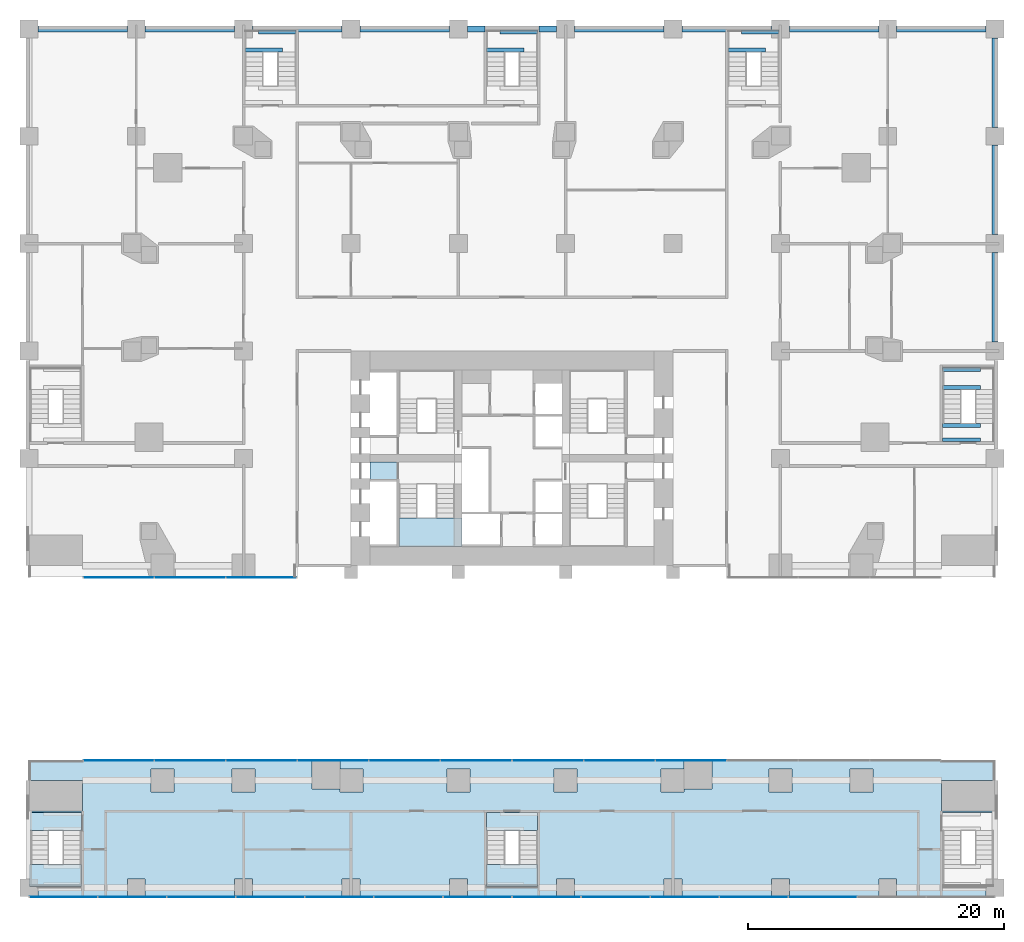
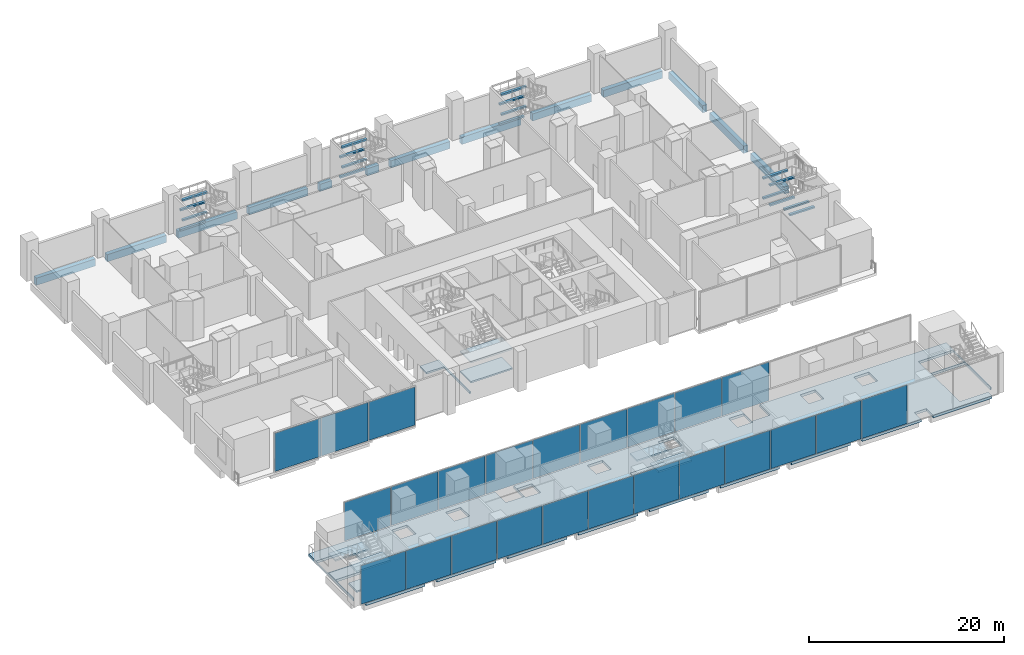
# One storey, part 8 of 24: 31 beams, 24 plates, 12 slabs, 6 elements without a shape of their own.
"""IFC4 building model written with IfcOpenShell, lengths in metres."""

import ifcopenshell
import ifcopenshell.guid

model = None  # the IFC model being written
_history = None  # IfcOwnerHistory: only IFC2X3 demands one
_inside = {}  # id of a spatial element -> (the spatial element, [elements in it])
_under = {}  # id of a project, library or spatial element -> (it, [spatial elements below it])
_declared = {}  # id of a project -> (the project, [libraries it declares])
_typed = {}  # id of a type object -> (the type object, [elements of that type])
_made_of = {}  # id of a material, layer set ... -> (it, [elements and type objects made of it])


def new_model(schema):
    """Start an empty IFC model of exactly this schema.

    Asked for "IFC4X3", IfcOpenShell would pick the latest addendum, in which some entities
    have other attributes; the version numbers below select the first issue.
    IFC2X3 requires an IfcOwnerHistory on every rooted entity: one is made here for all.
    """
    global model, _history
    if schema == "IFC4X3":
        model = ifcopenshell.file(schema_version=(4, 3, 0, 0))
    else:
        model = ifcopenshell.file(schema=schema)
    _inside.clear()
    _under.clear()
    _declared.clear()
    _typed.clear()
    _made_of.clear()
    _history = None
    if model.schema == "IFC2X3":
        org = make("IfcOrganization", Name="unknown")
        user = make(
            "IfcPersonAndOrganization",
            ThePerson=make("IfcPerson", FamilyName="unknown"),
            TheOrganization=org,
        )
        app = make(
            "IfcApplication",
            ApplicationDeveloper=org,
            Version="unknown",
            ApplicationFullName="unknown",
            ApplicationIdentifier="unknown",
        )
        _history = make(
            "IfcOwnerHistory",
            OwningUser=user,
            OwningApplication=app,
            ChangeAction="ADDED",
            CreationDate=0,
        )
    return model


def make(cls, **values):
    """One entity of the class cls with the attributes given. An attribute that is None is left unset."""
    return model.create_entity(
        cls, **{name: value for name, value in values.items() if value is not None}
    )


def rooted(cls, **values):
    """An entity with a GlobalId (a new one), such as an element, a storey or a relation."""
    return make(cls, GlobalId=ifcopenshell.guid.new(), OwnerHistory=_history, **values)


def si_unit(unit_type, name, prefix=None):
    """IfcSIUnit, for example si_unit("LENGTHUNIT", "METRE", prefix="MILLI")."""
    return make("IfcSIUnit", UnitType=unit_type, Prefix=prefix, Name=name)


def assignment(units):
    """IfcUnitAssignment: the units of a project."""
    return None if units is None else make("IfcUnitAssignment", Units=units)


def point(xyz):
    """IfcCartesianPoint."""
    return None if xyz is None else make("IfcCartesianPoint", Coordinates=xyz)


def direction(xyz):
    """IfcDirection."""
    return None if xyz is None else make("IfcDirection", DirectionRatios=xyz)


def frame(location, z_axis=None, x_axis=None):
    """IfcAxis2Placement3D, a coordinate frame: its origin and axes. An axis left out is left unset."""
    return make(
        "IfcAxis2Placement3D",
        Location=point(location),
        Axis=direction(z_axis),
        RefDirection=direction(x_axis),
    )


def frame_2d(location, x_axis=None):
    """IfcAxis2Placement2D, a coordinate frame in the plane: its origin and x axis."""
    return make(
        "IfcAxis2Placement2D", Location=point(location), RefDirection=direction(x_axis)
    )


def origin():
    """The frame at (0, 0, 0) with its axes left unset."""
    return frame((0.0, 0.0, 0.0))


def origin_2d():
    """The frame at (0, 0) in the plane with its x axis left unset."""
    return frame_2d((0.0, 0.0))


def place(relative_to, where):
    """IfcLocalPlacement: puts the frame where relative to a parent placement (None: the world)."""
    return make(
        "IfcLocalPlacement", PlacementRelTo=relative_to, RelativePlacement=where
    )


def context(
    kind, dimensions, precision=None, world=None, true_north=None, identifier=None
):
    """IfcGeometricRepresentationContext, for example the 3D "Model" context."""
    return make(
        "IfcGeometricRepresentationContext",
        ContextIdentifier=identifier,
        ContextType=kind,
        CoordinateSpaceDimension=dimensions,
        Precision=precision,
        WorldCoordinateSystem=world,
        TrueNorth=true_north,
    )


def subcontext(parent, identifier, kind, view, scale=None):
    """IfcGeometricRepresentationSubContext, for example "Body" below "Model"."""
    return make(
        "IfcGeometricRepresentationSubContext",
        ContextIdentifier=identifier,
        ContextType=kind,
        ParentContext=parent,
        TargetScale=scale,
        TargetView=view,
    )


def project(units=None, contexts=None):
    """IfcProject with its units and contexts."""
    return rooted(
        "IfcProject",
        Name="project",
        RepresentationContexts=contexts,
        UnitsInContext=assignment(units),
    )


def spatial(cls, under=None, at=None, **own):
    """A site, building, storey or space (cls), placed at a placement, below another one or the project."""
    s = rooted(cls, ObjectPlacement=at, **own)
    if under is not None:
        _under.setdefault(under.id(), (under, []))[1].append(s)
    return s


def polyline(points):
    """IfcPolyline through the points."""
    return make("IfcPolyline", Points=[point(p) for p in points])


def profile(cls, at=None, kind="AREA", **sizes):
    """A parametric profile (cls). Its sizes go by their IFC names, for example OverallWidth=200.0."""
    return make(cls, ProfileType=kind, Position=at, **sizes)


def rectangle(**sizes):
    """IfcRectangleProfileDef."""
    return profile("IfcRectangleProfileDef", **sizes)


def outline(outer, holes=None, kind="AREA"):
    """IfcArbitraryClosedProfileDef: a profile drawn as a closed curve; with holes, ...WithVoids."""
    if holes is None:
        return make("IfcArbitraryClosedProfileDef", ProfileType=kind, OuterCurve=outer)
    return make(
        "IfcArbitraryProfileDefWithVoids",
        ProfileType=kind,
        OuterCurve=outer,
        InnerCurves=holes,
    )


def extrude(swept, where, along, depth):
    """IfcExtrudedAreaSolid: the profile swept, set in the frame where, extruded along a direction by depth."""
    return make(
        "IfcExtrudedAreaSolid",
        SweptArea=swept,
        Position=where,
        ExtrudedDirection=direction(along),
        Depth=depth,
    )


def shape(context_of_items, identifier, shape_type, items):
    """IfcShapeRepresentation: the items that make up one representation, for example the "Body"."""
    return make(
        "IfcShapeRepresentation",
        ContextOfItems=context_of_items,
        RepresentationIdentifier=identifier,
        RepresentationType=shape_type,
        Items=items,
    )


def material(Name=None, Category=None):
    """IfcMaterial."""
    return make("IfcMaterial", Name=Name, Category=Category)


def layer(
    of_material, thickness, ventilated=None, Name=None, Category=None, Priority=None
):
    """IfcMaterialLayer: one layer of a wall or slab, of a material (None: an air gap)."""
    return make(
        "IfcMaterialLayer",
        Material=of_material,
        LayerThickness=thickness,
        IsVentilated=ventilated,
        Name=Name,
        Category=Category,
        Priority=Priority,
    )


def layer_set(layers, Name=None):
    """IfcMaterialLayerSet."""
    return make("IfcMaterialLayerSet", MaterialLayers=layers, LayerSetName=Name)


def material_profile(
    of_material, cross_section, Name=None, Category=None, Priority=None
):
    """IfcMaterialProfile: a cross section and its material."""
    return make(
        "IfcMaterialProfile",
        Name=Name,
        Material=of_material,
        Profile=cross_section,
        Priority=Priority,
        Category=Category,
    )


def profile_set(profiles, Name=None, composite=None):
    """IfcMaterialProfileSet."""
    return make(
        "IfcMaterialProfileSet",
        Name=Name,
        MaterialProfiles=profiles,
        CompositeProfile=composite,
    )


def made_of(thing, what):
    """Note that an element or type object is made of a material, layer set ...; save() writes the relation."""
    if what is not None:
        _made_of.setdefault(what.id(), (what, []))[1].append(thing)
    return thing


def type_object(cls, material=None, **own):
    """A type object (cls), such as IfcWallType, which elements share."""
    return made_of(rooted(cls, **own), material)


def element(
    cls,
    number,
    at=None,
    inside=None,
    cuts=None,
    type_object=None,
    material=None,
    context=None,
    identifier="Body",
    shape_type=None,
    held_by="IfcProductDefinitionShape",
    body=None,
    shapes=None,
    **own,
):
    """One element of the class cls, such as IfcWall. Its Tag is "e" and its number.

    at: its placement. inside: the storey or other place that contains it. cuts: it is an
    opening in that element (IfcRelVoidsElement). A single representation is given by context,
    identifier, shape_type and body (its items); several are given by shapes. held_by: the class
    of the entity that holds the representations. save() writes the other relations.
    """
    e = rooted(cls, Tag="e%d" % number, ObjectPlacement=at, **own)
    if body is not None:
        shapes = [shape(context, identifier, shape_type, body)]
    if shapes is not None:
        e.Representation = make(held_by, Representations=shapes)
    if inside is not None:
        _inside.setdefault(inside.id(), (inside, []))[1].append(e)
    if cuts is not None:
        rooted(
            "IfcRelVoidsElement", RelatingBuildingElement=cuts, RelatedOpeningElement=e
        )
    if type_object is not None:
        _typed.setdefault(type_object.id(), (type_object, []))[1].append(e)
    return made_of(e, material)


def aggregate(whole, parts):
    """IfcRelAggregates: a whole, such as a stair, and the parts it consists of."""
    return rooted("IfcRelAggregates", RelatingObject=whole, RelatedObjects=parts)


def save(model, path):
    """Write the relations noted so far, then the file.

    IfcRelAggregates (storeys below a building ...), IfcRelContainedInSpatialStructure (elements
    in a storey), IfcRelDefinesByType, IfcRelAssociatesMaterial and IfcRelDeclares: one each for
    every whole, place, type object, material and project.
    """
    for whole, parts in _under.values():
        aggregate(whole, parts)
    for where, things in _inside.values():
        rooted(
            "IfcRelContainedInSpatialStructure",
            RelatedElements=things,
            RelatingStructure=where,
        )
    for kind, things in _typed.values():
        rooted("IfcRelDefinesByType", RelatedObjects=things, RelatingType=kind)
    for what, things in _made_of.values():
        rooted("IfcRelAssociatesMaterial", RelatedObjects=things, RelatingMaterial=what)
    for by, libraries in _declared.values():
        rooted("IfcRelDeclares", RelatingContext=by, RelatedDefinitions=libraries)
    model.write(path)


model = new_model("IFC4")

# Units and contexts
model_context = context("Model", 3, precision=1e-05, world=origin(), true_north=direction((0.0, 1.0)))
body_context = subcontext(model_context, "Body", "Model", "MODEL_VIEW")
ifc_project = project(units=[si_unit("LENGTHUNIT", "METRE"), si_unit("AREAUNIT", "SQUARE_METRE"), si_unit("VOLUMEUNIT", "CUBIC_METRE"), si_unit("PLANEANGLEUNIT", "RADIAN"), si_unit("MASSUNIT", "GRAM", prefix="KILO")], contexts=[model_context])

# Site, building, storey
site_placement = place(None, origin())
site = spatial("IfcSite", under=ifc_project, at=site_placement, CompositionType="ELEMENT")
building_placement = place(site_placement, origin())
building = spatial("IfcBuilding", under=site, at=building_placement, Name="Marenta Gate Hotel Tower", CompositionType="ELEMENT")
storey_placement = place(building_placement, frame((0.0, 0.0, 8.0)))
storey = spatial("IfcBuildingStorey", under=building, at=storey_placement, Name="L01", CompositionType="ELEMENT", Elevation=8.0)

# Beams
ifc_material_1 = material(Name="Concrete C60", Category="concrete")
ifc_material_profile_1 = material_profile(ifc_material_1, rectangle(XDim=0.5, YDim=0.89990234375, at=origin_2d()), Name="500 x 900")
ifc_profile_set_1 = profile_set([ifc_material_profile_1], Name="Concrete C60")
beam_type_1 = type_object("IfcBeamType", Name="Podium edge beam 500 x 900 C60", PredefinedType="BEAM", material=ifc_profile_set_1)
for number, where, z_axis, x_axis, name in (
    (1, (37.800048828125, 17.5, -0.77001953125), (0.0, 1.0, 0.0), (-1.0, 0.0, 0.0), "L01-PBM-27"),
    (2, (37.800048828125, 25.89990234375, -0.77001953125), (0.0, 1.0, 0.0), (-1.0, 0.0, 0.0), "L01-PBM-28"),
    (3, (37.800048828125, 34.300048828125, -0.77001953125), (0.0, 1.0, 0.0), (-1.0, 0.0, 0.0), "L01-PBM-29"),
    (4, (37.10009765625, 42.0, -0.77001953125), (-1.0, 0.0, 0.0), (0.0, -1.0, 0.0), "L01-PBM-30"),
    (5, (28.699951171875, 42.0, -0.77001953125), (-1.0, 0.0, 0.0), (0.0, -1.0, 0.0), "L01-PBM-31"),
    (6, (20.300048828125, 42.0, -0.77001953125), (-1.0, 0.0, 0.0), (0.0, -1.0, 0.0), "L01-PBM-32"),
    (7, (11.89990234375, 42.0, -0.77001953125), (-1.0, 0.0, 0.0), (0.0, -1.0, 0.0), "L01-PBM-33"),
):
    element("IfcBeam", number, at=place(storey_placement, frame(where, z_axis=z_axis, x_axis=x_axis)), inside=storey, type_object=beam_type_1, Name=name, PredefinedType="BEAM", context=body_context, shape_type="SweptSolid", body=[
        extrude(rectangle(XDim=0.5, YDim=0.89990234375, at=origin_2d()), origin(), (0.0, 0.0, 1.0), 7.0),
    ])
for number, where, z_axis, x_axis, name in (
    (8, (3.5, 42.0, -0.77001953125), (-1.0, 0.0, 0.0), (0.0, -1.0, 0.0), "L01-PBM-34"),
    (9, (-2.10009765625, 42.0, -0.77001953125), (-1.0, 0.0, 0.0), (0.0, -1.0, 0.0), "L01-PBM-35"),
):
    element("IfcBeam", number, at=place(storey_placement, frame(where, z_axis=z_axis, x_axis=x_axis)), inside=storey, type_object=beam_type_1, Name=name, PredefinedType="BEAM", context=body_context, shape_type="SweptSolid", body=[
        extrude(rectangle(XDim=0.5, YDim=0.89990234375, at=origin_2d()), origin(), (0.0, 0.0, 1.0), 1.39990234375),
    ])
for number, where, z_axis, x_axis, name in (
    (10, (-4.89990234375, 42.0, -0.77001953125), (-1.0, 0.0, 0.0), (0.0, -1.0, 0.0), "L01-PBM-36"),
    (11, (-13.300048828125, 42.0, -0.77001953125), (-1.0, 0.0, 0.0), (0.0, -1.0, 0.0), "L01-PBM-37"),
    (12, (-21.699951171875, 42.0, -0.77001953125), (-1.0, 0.0, 0.0), (0.0, -1.0, 0.0), "L01-PBM-38"),
    (13, (-30.10009765625, 42.0, -0.77001953125), (-1.0, 0.0, 0.0), (0.0, -1.0, 0.0), "L01-PBM-39"),
):
    element("IfcBeam", number, at=place(storey_placement, frame(where, z_axis=z_axis, x_axis=x_axis)), inside=storey, type_object=beam_type_1, Name=name, PredefinedType="BEAM", context=body_context, shape_type="SweptSolid", body=[
        extrude(rectangle(XDim=0.5, YDim=0.89990234375, at=origin_2d()), origin(), (0.0, 0.0, 1.0), 7.0),
    ])
ifc_material_2 = material(Name="Concrete C40", Category="concrete")
ifc_material_profile_2 = material_profile(ifc_material_2, rectangle(XDim=0.300048828125, YDim=0.199951171875, at=origin_2d()), Name="300 x 200")
ifc_profile_set_2 = profile_set([ifc_material_profile_2], Name="Concrete C40")
beam_type_2 = type_object("IfcBeamType", Name="Stair landing trimmer 300 x 200 C40", PredefinedType="BEAM", material=ifc_profile_set_2)
beam_1_placement = place(storey_placement, frame((-20.89990234375, 40.340087890625, 0.949951171875), z_axis=(1.0, 0.0, 0.0), x_axis=(0.0, 1.0, 0.0)))
element("IfcBeam", 14, at=beam_1_placement, inside=storey, type_object=beam_type_2, Name="L01-PX3-LT-1", PredefinedType="BEAM", context=body_context, shape_type="SweptSolid", body=[
    extrude(rectangle(XDim=0.300048828125, YDim=0.199951171875, at=origin_2d()), origin(), (0.0, 0.0, 1.0), 2.949951171875),
])
beam_2_placement = place(storey_placement, frame((-19.85009765625, 41.75, 0.949951171875), z_axis=(1.0, 0.0, 0.0), x_axis=(0.0, 1.0, 0.0)))
element("IfcBeam", 15, at=beam_2_placement, inside=storey, type_object=beam_type_2, Name="L01-PX3-LT-2", PredefinedType="BEAM", context=body_context, shape_type="SweptSolid", body=[
    extrude(rectangle(XDim=0.300048828125, YDim=0.199951171875, at=origin_2d()), origin(), (0.0, 0.0, 1.0), 2.9501953125),
])
beam_3_placement = place(storey_placement, frame((-20.89990234375, 40.340087890625, 3.449951171875), z_axis=(1.0, 0.0, 0.0), x_axis=(0.0, 1.0, 0.0)))
element("IfcBeam", 16, at=beam_3_placement, inside=storey, type_object=beam_type_2, Name="L01-PX3-LT-5", PredefinedType="BEAM", context=body_context, shape_type="SweptSolid", body=[
    extrude(rectangle(XDim=0.300048828125, YDim=0.199951171875, at=origin_2d()), origin(), (0.0, 0.0, 1.0), 2.949951171875),
])
for number, where, z_axis, x_axis, name in (
    (17, (-19.85009765625, 41.75, 3.449951171875), (1.0, 0.0, 0.0), (0.0, 1.0, 0.0), "L01-PX3-LT-6"),
    (18, (16.89990234375, 40.340087890625, 0.949951171875), (1.0, 0.0, 0.0), (0.0, 1.0, 0.0), "L01-PX4-LT-1"),
):
    element("IfcBeam", number, at=place(storey_placement, frame(where, z_axis=z_axis, x_axis=x_axis)), inside=storey, type_object=beam_type_2, Name=name, PredefinedType="BEAM", context=body_context, shape_type="SweptSolid", body=[
        extrude(rectangle(XDim=0.300048828125, YDim=0.199951171875, at=origin_2d()), origin(), (0.0, 0.0, 1.0), 2.9501953125),
    ])
beam_4_placement = place(storey_placement, frame((17.949951171875, 41.75, 0.949951171875), z_axis=(1.0, 0.0, 0.0), x_axis=(0.0, 1.0, 0.0)))
element("IfcBeam", 19, at=beam_4_placement, inside=storey, type_object=beam_type_2, Name="L01-PX4-LT-2", PredefinedType="BEAM", context=body_context, shape_type="SweptSolid", body=[
    extrude(rectangle(XDim=0.300048828125, YDim=0.199951171875, at=origin_2d()), origin(), (0.0, 0.0, 1.0), 2.949951171875),
])
beam_5_placement = place(storey_placement, frame((16.89990234375, 40.340087890625, 3.449951171875), z_axis=(1.0, 0.0, 0.0), x_axis=(0.0, 1.0, 0.0)))
element("IfcBeam", 20, at=beam_5_placement, inside=storey, type_object=beam_type_2, Name="L01-PX4-LT-5", PredefinedType="BEAM", context=body_context, shape_type="SweptSolid", body=[
    extrude(rectangle(XDim=0.300048828125, YDim=0.199951171875, at=origin_2d()), origin(), (0.0, 0.0, 1.0), 2.9501953125),
])
for number, where, z_axis, x_axis, name in (
    (21, (17.949951171875, 41.75, 3.449951171875), (1.0, 0.0, 0.0), (0.0, 1.0, 0.0), "L01-PX4-LT-6"),
    (22, (33.699951171875, 13.93994140625, 0.949951171875), (1.0, 0.0, 0.0), (0.0, 1.0, 0.0), "L01-PX7-LT-1"),
    (23, (33.699951171875, 15.35009765625, 0.949951171875), (1.0, 0.0, 0.0), (0.0, 1.0, 0.0), "L01-PX7-LT-2"),
    (24, (33.699951171875, 9.85009765625, 2.199951171875), (1.0, 0.0, 0.0), (0.0, 1.0, 0.0), "L01-PX7-LT-3"),
    (25, (33.699951171875, 10.97998046875, 2.199951171875), (1.0, 0.0, 0.0), (0.0, 1.0, 0.0), "L01-PX7-LT-4"),
    (26, (33.699951171875, 13.93994140625, 3.449951171875), (1.0, 0.0, 0.0), (0.0, 1.0, 0.0), "L01-PX7-LT-5"),
    (27, (33.699951171875, 15.35009765625, 3.449951171875), (1.0, 0.0, 0.0), (0.0, 1.0, 0.0), "L01-PX7-LT-6"),
    (28, (-2.0, 40.340087890625, 0.949951171875), (1.0, 0.0, 0.0), (0.0, 1.0, 0.0), "L01-PX8-LT-1"),
    (29, (-0.949951171875, 41.75, 0.949951171875), (1.0, 0.0, 0.0), (0.0, 1.0, 0.0), "L01-PX8-LT-2"),
    (30, (-2.0, 40.340087890625, 3.449951171875), (1.0, 0.0, 0.0), (0.0, 1.0, 0.0), "L01-PX8-LT-5"),
    (31, (-0.949951171875, 41.75, 3.449951171875), (1.0, 0.0, 0.0), (0.0, 1.0, 0.0), "L01-PX8-LT-6"),
):
    element("IfcBeam", number, at=place(storey_placement, frame(where, z_axis=z_axis, x_axis=x_axis)), inside=storey, type_object=beam_type_2, Name=name, PredefinedType="BEAM", context=body_context, shape_type="SweptSolid", body=[
        extrude(rectangle(XDim=0.300048828125, YDim=0.199951171875, at=origin_2d()), origin(), (0.0, 0.0, 1.0), 2.949951171875),
    ])

# Slab
ifc_material_3 = material(Name="Concrete C40", Category="concrete")
ifc_layer_1 = layer(ifc_material_3, 0.219970703125)
ifc_layer_set_1 = layer_set([ifc_layer_1], Name="Concrete C40")
slab_type_1 = type_object("IfcSlabType", Name="Core floor slab 220", PredefinedType="FLOOR", material=ifc_layer_set_1)
slab_1_placement = place(storey_placement, frame((0.0, 0.0, -0.219970703125)))
element("IfcSlab", 32, at=slab_1_placement, inside=storey, type_object=slab_type_1, Name="L01-CF-5", PredefinedType="FLOOR", context=body_context, shape_type="SweptSolid", body=[
    extrude(outline(polyline([(-8.85009765625, 8.10009765625), (-8.85009765625, 6.39990234375), (-8.85009765625, 1.5), (-9.0, 1.5), (-9.0, 1.64990234375), (-9.0, 4.050048828125), (-9.0, 4.199951171875), (-9.0, 6.60009765625), (-9.0, 6.75), (-11.10009765625, 6.75), (-11.10009765625, 8.10009765625), (-8.85009765625, 8.10009765625)])), origin(), (0.0, 0.0, 1.0), 0.219970703125),
])

# Stair, slabs
ifc_material_4 = material(Name="Concrete C40", Category="concrete")
stair_type_1 = type_object("IfcStairType", Name="Core exit stair 1430 wide", PredefinedType="HALF_TURN_STAIR", material=ifc_material_4)
stair_1_placement = place(storey_placement, origin())
stair_1 = element("IfcStair", 33, at=stair_1_placement, inside=storey, type_object=stair_type_1, Name="Exit stair 1", PredefinedType="HALF_TURN_STAIR")
ifc_material_5 = material(Name="Concrete C40", Category="concrete")
ifc_layer_2 = layer(ifc_material_5, 0.199951171875)
ifc_layer_set_2 = layer_set([ifc_layer_2], Name="Concrete C40")
slab_type_2 = type_object("IfcSlabType", Name="Core stair landing 200", PredefinedType="LANDING", material=ifc_layer_set_2)
slab_2_placement = place(storey_placement, frame((0.0, 0.0, 1.050048828125)))
slab_2 = element("IfcSlab", 34, at=slab_2_placement, type_object=slab_type_2, Name="SL-200 ST1 landing 1", PredefinedType="LANDING", context=body_context, shape_type="SweptSolid", body=[
    extrude(outline(polyline([(-8.85009765625, 1.5), (-3.89990234375, 1.5), (-3.89990234375, 3.739990234375), (-8.85009765625, 3.739990234375), (-8.85009765625, 1.5)])), origin(), (0.0, 0.0, 1.0), 0.199951171875),
])
slab_3_placement = place(storey_placement, frame((0.0, 0.0, 3.550048828125)))
slab_3 = element("IfcSlab", 35, at=slab_3_placement, type_object=slab_type_2, Name="SL-200 ST1 landing 3", PredefinedType="LANDING", context=body_context, shape_type="SweptSolid", body=[
    extrude(outline(polyline([(-8.85009765625, 1.5), (-3.89990234375, 1.5), (-3.89990234375, 3.739990234375), (-8.85009765625, 3.739990234375), (-8.85009765625, 1.5)])), origin(), (0.0, 0.0, 1.0), 0.199951171875),
])
aggregate(stair_1, [slab_2, slab_3])

ifc_material_6 = material(Name="Concrete C40", Category="concrete")
stair_type_2 = type_object("IfcStairType", Name="Podium exit stair 1430 wide", PredefinedType="HALF_TURN_STAIR", material=ifc_material_6)
stair_2_placement = place(storey_placement, origin())
stair_2 = element("IfcStair", 36, at=stair_2_placement, inside=storey, type_object=stair_type_2, Name="Podium exit stair 1", PredefinedType="HALF_TURN_STAIR")
slab_4_placement = place(storey_placement, frame((0.0, 0.0, 1.050048828125)))
slab_4 = element("IfcSlab", 37, at=slab_4_placement, type_object=slab_type_2, Name="SL-200 PX1 landing 1", PredefinedType="LANDING", context=body_context, shape_type="SweptSolid", body=[
    extrude(outline(polyline([(-37.739990234375, -25.10009765625), (-33.699951171875, -25.10009765625), (-33.699951171875, -23.389892578125), (-37.739990234375, -23.389892578125), (-37.739990234375, -25.10009765625)])), origin(), (0.0, 0.0, 1.0), 0.199951171875),
])
slab_5_placement = place(storey_placement, frame((0.0, 0.0, 2.300048828125)))
slab_5 = element("IfcSlab", 38, at=slab_5_placement, type_object=slab_type_2, Name="SL-200 PX1 landing 2", PredefinedType="LANDING", context=body_context, shape_type="SweptSolid", body=[
    extrude(outline(polyline([(-37.739990234375, -20.72998046875), (-33.699951171875, -20.72998046875), (-33.699951171875, -19.300048828125), (-37.739990234375, -19.300048828125), (-37.739990234375, -20.72998046875)])), origin(), (0.0, 0.0, 1.0), 0.199951171875),
])
slab_6_placement = place(storey_placement, frame((0.0, 0.0, 3.550048828125)))
slab_6 = element("IfcSlab", 39, at=slab_6_placement, type_object=slab_type_2, Name="SL-200 PX1 landing 3", PredefinedType="LANDING", context=body_context, shape_type="SweptSolid", body=[
    extrude(outline(polyline([(-37.739990234375, -25.10009765625), (-33.699951171875, -25.10009765625), (-33.699951171875, -23.389892578125), (-37.739990234375, -23.389892578125), (-37.739990234375, -25.10009765625)])), origin(), (0.0, 0.0, 1.0), 0.199951171875),
])
aggregate(stair_2, [slab_4, slab_5, slab_6])

stair_3_placement = place(storey_placement, origin())
stair_3 = element("IfcStair", 40, at=stair_3_placement, inside=storey, type_object=stair_type_2, Name="Podium exit stair 5", PredefinedType="HALF_TURN_STAIR")
slab_7_placement = place(storey_placement, frame((0.0, 0.0, 1.050048828125)))
slab_7 = element("IfcSlab", 41, at=slab_7_placement, type_object=slab_type_2, Name="SL-200 PX5 landing 1", PredefinedType="LANDING", context=body_context, shape_type="SweptSolid", body=[
    extrude(outline(polyline([(-2.0, -25.10009765625), (2.0, -25.10009765625), (2.0, -23.389892578125), (-2.0, -23.389892578125), (-2.0, -25.10009765625)])), origin(), (0.0, 0.0, 1.0), 0.199951171875),
])
slab_8_placement = place(storey_placement, frame((0.0, 0.0, 2.300048828125)))
slab_8 = element("IfcSlab", 42, at=slab_8_placement, type_object=slab_type_2, Name="SL-200 PX5 landing 2", PredefinedType="LANDING", context=body_context, shape_type="SweptSolid", body=[
    extrude(outline(polyline([(-2.0, -20.72998046875), (2.0, -20.72998046875), (2.0, -19.300048828125), (-2.0, -19.300048828125), (-2.0, -20.72998046875)])), origin(), (0.0, 0.0, 1.0), 0.199951171875),
])
slab_9_placement = place(storey_placement, frame((0.0, 0.0, 3.550048828125)))
slab_9 = element("IfcSlab", 43, at=slab_9_placement, type_object=slab_type_2, Name="SL-200 PX5 landing 3", PredefinedType="LANDING", context=body_context, shape_type="SweptSolid", body=[
    extrude(outline(polyline([(-2.0, -25.10009765625), (2.0, -25.10009765625), (2.0, -23.389892578125), (-2.0, -23.389892578125), (-2.0, -25.10009765625)])), origin(), (0.0, 0.0, 1.0), 0.199951171875),
])
aggregate(stair_3, [slab_7, slab_8, slab_9])

# Curtain wall, plates
ifc_material_7 = material(Name="Tinted insulated glass in bronze anodised frame", Category="glass")
ifc_layer_3 = layer(ifc_material_7, 0.1298828125)
ifc_layer_set_3 = layer_set([ifc_layer_3], Name="Tinted insulated glass in bronze anodised frame")
curtain_wall_type_1 = type_object("IfcCurtainWallType", Name="Podium shopfront glazing CW5", PredefinedType="NOTDEFINED", material=ifc_layer_set_3)
curtain_wall_1_placement = place(storey_placement, origin())
curtain_wall_1 = element("IfcCurtainWall", 44, at=curtain_wall_1_placement, inside=storey, type_object=curtain_wall_type_1, Name="CW5 run SB-S000", PredefinedType="NOTDEFINED")
ifc_material_8 = material(Name="Tinted insulated glass", Category="glass")
ifc_layer_4 = layer(ifc_material_8, 0.033935546875)
ifc_layer_set_4 = layer_set([ifc_layer_4], Name="Tinted insulated glass")
plate_type_1 = type_object("IfcPlateType", Name="Glass panel CW5 34 mm tinted insulated unit", PredefinedType="CURTAIN_PANEL", material=ifc_layer_set_4)
plate_1_placement = place(storey_placement, frame((-35.080078125, -25.9189453125, 0.080078125), z_axis=(0.0, 0.0, 1.0), x_axis=(1.0, 0.0, 0.0)))
plate_1 = element("IfcPlate", 45, at=plate_1_placement, type_object=plate_type_1, Name="CW5 panel 1.1", PredefinedType="CURTAIN_PANEL", context=body_context, shape_type="SweptSolid", body=[
    extrude(rectangle(XDim=5.280029296875, YDim=0.033935546875, at=origin_2d()), origin(), (0.0, 0.0, 1.0), 4.840087890625),
])
plate_2_placement = place(storey_placement, frame((-29.699951171875, -25.9189453125, 0.080078125), z_axis=(0.0, 0.0, 1.0), x_axis=(1.0, 0.0, 0.0)))
plate_2 = element("IfcPlate", 46, at=plate_2_placement, type_object=plate_type_1, Name="CW5 panel 2.1", PredefinedType="CURTAIN_PANEL", context=body_context, shape_type="SweptSolid", body=[
    extrude(rectangle(XDim=5.320068359375, YDim=0.033935546875, at=origin_2d()), origin(), (0.0, 0.0, 1.0), 4.840087890625),
])
plate_3_placement = place(storey_placement, frame((-24.300048828125, -25.9189453125, 0.080078125), z_axis=(0.0, 0.0, 1.0), x_axis=(1.0, 0.0, 0.0)))
plate_3 = element("IfcPlate", 47, at=plate_3_placement, type_object=plate_type_1, Name="CW5 panel 3.1", PredefinedType="CURTAIN_PANEL", context=body_context, shape_type="SweptSolid", body=[
    extrude(rectangle(XDim=5.320068359375, YDim=0.033935546875, at=origin_2d()), origin(), (0.0, 0.0, 1.0), 4.840087890625),
])
plate_4_placement = place(storey_placement, frame((-18.89990234375, -25.9189453125, 0.080078125), z_axis=(0.0, 0.0, 1.0), x_axis=(1.0, 0.0, 0.0)))
plate_4 = element("IfcPlate", 48, at=plate_4_placement, type_object=plate_type_1, Name="CW5 panel 4.1", PredefinedType="CURTAIN_PANEL", context=body_context, shape_type="SweptSolid", body=[
    extrude(rectangle(XDim=5.320068359375, YDim=0.033935546875, at=origin_2d()), origin(), (0.0, 0.0, 1.0), 4.840087890625),
])
plate_5_placement = place(storey_placement, frame((-13.5, -25.9189453125, 0.080078125), z_axis=(0.0, 0.0, 1.0), x_axis=(1.0, 0.0, 0.0)))
plate_5 = element("IfcPlate", 49, at=plate_5_placement, type_object=plate_type_1, Name="CW5 panel 5.1", PredefinedType="CURTAIN_PANEL", context=body_context, shape_type="SweptSolid", body=[
    extrude(rectangle(XDim=5.320068359375, YDim=0.033935546875, at=origin_2d()), origin(), (0.0, 0.0, 1.0), 4.840087890625),
])
plate_6_placement = place(storey_placement, frame((-8.10009765625, -25.9189453125, 0.080078125), z_axis=(0.0, 0.0, 1.0), x_axis=(1.0, 0.0, 0.0)))
plate_6 = element("IfcPlate", 50, at=plate_6_placement, type_object=plate_type_1, Name="CW5 panel 6.1", PredefinedType="CURTAIN_PANEL", context=body_context, shape_type="SweptSolid", body=[
    extrude(rectangle(XDim=5.320068359375, YDim=0.033935546875, at=origin_2d()), origin(), (0.0, 0.0, 1.0), 4.840087890625),
])
plate_7_placement = place(storey_placement, frame((-2.699951171875, -25.9189453125, 0.080078125), z_axis=(0.0, 0.0, 1.0), x_axis=(1.0, 0.0, 0.0)))
plate_7 = element("IfcPlate", 51, at=plate_7_placement, type_object=plate_type_1, Name="CW5 panel 7.1", PredefinedType="CURTAIN_PANEL", context=body_context, shape_type="SweptSolid", body=[
    extrude(rectangle(XDim=5.320068359375, YDim=0.033935546875, at=origin_2d()), origin(), (0.0, 0.0, 1.0), 4.840087890625),
])
plate_8_placement = place(storey_placement, frame((2.699951171875, -25.9189453125, 0.080078125), z_axis=(0.0, 0.0, 1.0), x_axis=(1.0, 0.0, 0.0)))
plate_8 = element("IfcPlate", 52, at=plate_8_placement, type_object=plate_type_1, Name="CW5 panel 8.1", PredefinedType="CURTAIN_PANEL", context=body_context, shape_type="SweptSolid", body=[
    extrude(rectangle(XDim=5.320068359375, YDim=0.033935546875, at=origin_2d()), origin(), (0.0, 0.0, 1.0), 4.840087890625),
])
plate_9_placement = place(storey_placement, frame((8.10009765625, -25.9189453125, 0.080078125), z_axis=(0.0, 0.0, 1.0), x_axis=(1.0, 0.0, 0.0)))
plate_9 = element("IfcPlate", 53, at=plate_9_placement, type_object=plate_type_1, Name="CW5 panel 9.1", PredefinedType="CURTAIN_PANEL", context=body_context, shape_type="SweptSolid", body=[
    extrude(rectangle(XDim=5.320068359375, YDim=0.033935546875, at=origin_2d()), origin(), (0.0, 0.0, 1.0), 4.840087890625),
])
plate_10_placement = place(storey_placement, frame((13.5, -25.9189453125, 0.080078125), z_axis=(0.0, 0.0, 1.0), x_axis=(1.0, 0.0, 0.0)))
plate_10 = element("IfcPlate", 54, at=plate_10_placement, type_object=plate_type_1, Name="CW5 panel 10.1", PredefinedType="CURTAIN_PANEL", context=body_context, shape_type="SweptSolid", body=[
    extrude(rectangle(XDim=5.320068359375, YDim=0.033935546875, at=origin_2d()), origin(), (0.0, 0.0, 1.0), 4.840087890625),
])
plate_11_placement = place(storey_placement, frame((18.89990234375, -25.9189453125, 0.080078125), z_axis=(0.0, 0.0, 1.0), x_axis=(1.0, 0.0, 0.0)))
plate_11 = element("IfcPlate", 55, at=plate_11_placement, type_object=plate_type_1, Name="CW5 panel 11.1", PredefinedType="CURTAIN_PANEL", context=body_context, shape_type="SweptSolid", body=[
    extrude(rectangle(XDim=5.320068359375, YDim=0.033935546875, at=origin_2d()), origin(), (0.0, 0.0, 1.0), 4.840087890625),
])
plate_12_placement = place(storey_placement, frame((24.300048828125, -25.9189453125, 0.080078125), z_axis=(0.0, 0.0, 1.0), x_axis=(1.0, 0.0, 0.0)))
plate_12 = element("IfcPlate", 56, at=plate_12_placement, type_object=plate_type_1, Name="CW5 panel 12.1", PredefinedType="CURTAIN_PANEL", context=body_context, shape_type="SweptSolid", body=[
    extrude(rectangle(XDim=5.320068359375, YDim=0.033935546875, at=origin_2d()), origin(), (0.0, 0.0, 1.0), 4.840087890625),
])
aggregate(curtain_wall_1, [plate_1, plate_2, plate_3, plate_4, plate_5, plate_6, plate_7, plate_8, plate_9, plate_10, plate_11, plate_12])

curtain_wall_2_placement = place(storey_placement, origin())
curtain_wall_2 = element("IfcCurtainWall", 57, at=curtain_wall_2_placement, inside=storey, type_object=curtain_wall_type_1, Name="CW5 run SB-N000", PredefinedType="NOTDEFINED")
plate_13_placement = place(storey_placement, frame((14.0, -15.255859375, 0.080078125), z_axis=(0.0, 0.0, 1.0), x_axis=(-1.0, 0.0, 0.0)))
plate_13 = element("IfcPlate", 58, at=plate_13_placement, type_object=plate_type_1, Name="CW5 panel 4.1", PredefinedType="CURTAIN_PANEL", context=body_context, shape_type="SweptSolid", body=[
    extrude(rectangle(XDim=5.52001953125, YDim=0.033935546875, at=origin_2d()), origin(), (0.0, 0.0, 1.0), 4.840087890625),
])
plate_14_placement = place(storey_placement, frame((8.39990234375, -15.255859375, 0.080078125), z_axis=(0.0, 0.0, 1.0), x_axis=(-1.0, 0.0, 0.0)))
plate_14 = element("IfcPlate", 59, at=plate_14_placement, type_object=plate_type_1, Name="CW5 panel 5.1", PredefinedType="CURTAIN_PANEL", context=body_context, shape_type="SweptSolid", body=[
    extrude(rectangle(XDim=5.52001953125, YDim=0.033935546875, at=origin_2d()), origin(), (0.0, 0.0, 1.0), 4.840087890625),
])
plate_15_placement = place(storey_placement, frame((2.800048828125, -15.255859375, 0.080078125), z_axis=(0.0, 0.0, 1.0), x_axis=(-1.0, 0.0, 0.0)))
plate_15 = element("IfcPlate", 60, at=plate_15_placement, type_object=plate_type_1, Name="CW5 panel 6.1", PredefinedType="CURTAIN_PANEL", context=body_context, shape_type="SweptSolid", body=[
    extrude(rectangle(XDim=5.52001953125, YDim=0.033935546875, at=origin_2d()), origin(), (0.0, 0.0, 1.0), 4.840087890625),
])
plate_16_placement = place(storey_placement, frame((-2.800048828125, -15.255859375, 0.080078125), z_axis=(0.0, 0.0, 1.0), x_axis=(-1.0, 0.0, 0.0)))
plate_16 = element("IfcPlate", 61, at=plate_16_placement, type_object=plate_type_1, Name="CW5 panel 7.1", PredefinedType="CURTAIN_PANEL", context=body_context, shape_type="SweptSolid", body=[
    extrude(rectangle(XDim=5.52001953125, YDim=0.033935546875, at=origin_2d()), origin(), (0.0, 0.0, 1.0), 4.840087890625),
])
plate_17_placement = place(storey_placement, frame((-8.39990234375, -15.255859375, 0.080078125), z_axis=(0.0, 0.0, 1.0), x_axis=(-1.0, 0.0, 0.0)))
plate_17 = element("IfcPlate", 62, at=plate_17_placement, type_object=plate_type_1, Name="CW5 panel 8.1", PredefinedType="CURTAIN_PANEL", context=body_context, shape_type="SweptSolid", body=[
    extrude(rectangle(XDim=5.52001953125, YDim=0.033935546875, at=origin_2d()), origin(), (0.0, 0.0, 1.0), 4.840087890625),
])
plate_18_placement = place(storey_placement, frame((-14.0, -15.255859375, 0.080078125), z_axis=(0.0, 0.0, 1.0), x_axis=(-1.0, 0.0, 0.0)))
plate_18 = element("IfcPlate", 63, at=plate_18_placement, type_object=plate_type_1, Name="CW5 panel 9.1", PredefinedType="CURTAIN_PANEL", context=body_context, shape_type="SweptSolid", body=[
    extrude(rectangle(XDim=5.52001953125, YDim=0.033935546875, at=origin_2d()), origin(), (0.0, 0.0, 1.0), 4.840087890625),
])
plate_19_placement = place(storey_placement, frame((-19.60009765625, -15.255859375, 0.080078125), z_axis=(0.0, 0.0, 1.0), x_axis=(-1.0, 0.0, 0.0)))
plate_19 = element("IfcPlate", 64, at=plate_19_placement, type_object=plate_type_1, Name="CW5 panel 10.1", PredefinedType="CURTAIN_PANEL", context=body_context, shape_type="SweptSolid", body=[
    extrude(rectangle(XDim=5.52001953125, YDim=0.033935546875, at=origin_2d()), origin(), (0.0, 0.0, 1.0), 4.840087890625),
])
plate_20_placement = place(storey_placement, frame((-25.199951171875, -15.255859375, 0.080078125), z_axis=(0.0, 0.0, 1.0), x_axis=(-1.0, 0.0, 0.0)))
plate_20 = element("IfcPlate", 65, at=plate_20_placement, type_object=plate_type_1, Name="CW5 panel 11.1", PredefinedType="CURTAIN_PANEL", context=body_context, shape_type="SweptSolid", body=[
    extrude(rectangle(XDim=5.52001953125, YDim=0.033935546875, at=origin_2d()), origin(), (0.0, 0.0, 1.0), 4.840087890625),
])
plate_21_placement = place(storey_placement, frame((-30.780029296875, -15.255859375, 0.080078125), z_axis=(0.0, 0.0, 1.0), x_axis=(-1.0, 0.0, 0.0)))
plate_21 = element("IfcPlate", 66, at=plate_21_placement, type_object=plate_type_1, Name="CW5 panel 12.1", PredefinedType="CURTAIN_PANEL", context=body_context, shape_type="SweptSolid", body=[
    extrude(rectangle(XDim=5.47998046875, YDim=0.033935546875, at=origin_2d()), origin(), (0.0, 0.0, 1.0), 4.840087890625),
])
aggregate(curtain_wall_2, [plate_13, plate_14, plate_15, plate_16, plate_17, plate_18, plate_19, plate_20, plate_21])

ifc_material_9 = material(Name="Tinted insulated glass in bronze anodised frame", Category="glass")
ifc_layer_5 = layer(ifc_material_9, 0.139892578125)
ifc_layer_set_5 = layer_set([ifc_layer_5], Name="Tinted insulated glass in bronze anodised frame")
curtain_wall_type_2 = type_object("IfcCurtainWallType", Name="Hotel lobby glazing CW6", PredefinedType="NOTDEFINED", material=ifc_layer_set_5)
curtain_wall_3_placement = place(storey_placement, origin())
curtain_wall_3 = element("IfcCurtainWall", 67, at=curtain_wall_3_placement, inside=storey, type_object=curtain_wall_type_2, Name="CW6 run NB-S000", PredefinedType="NOTDEFINED")
ifc_material_10 = material(Name="Tinted insulated glass", Category="glass")
ifc_layer_6 = layer(ifc_material_10, 0.0439453125)
ifc_layer_set_6 = layer_set([ifc_layer_6], Name="Tinted insulated glass")
plate_type_2 = type_object("IfcPlateType", Name="Glass panel CW6 44 mm tinted insulated unit", PredefinedType="CURTAIN_PANEL", material=ifc_layer_set_6)
plate_22_placement = place(storey_placement, frame((-30.77490234375, -0.924072265625, 0.10009765625), z_axis=(0.0, 0.0, 1.0), x_axis=(1.0, 0.0, 0.0)))
plate_22 = element("IfcPlate", 68, at=plate_22_placement, type_object=plate_type_2, Name="CW6 panel 1.1", PredefinedType="CURTAIN_PANEL", context=body_context, shape_type="SweptSolid", body=[
    extrude(rectangle(XDim=5.449951171875, YDim=0.0439453125, at=origin_2d()), origin(), (0.0, 0.0, 1.0), 4.800048828125),
])
plate_23_placement = place(storey_placement, frame((-25.199951171875, -0.924072265625, 0.10009765625), z_axis=(0.0, 0.0, 1.0), x_axis=(1.0, 0.0, 0.0)))
plate_23 = element("IfcPlate", 69, at=plate_23_placement, type_object=plate_type_2, Name="CW6 panel 2.1", PredefinedType="CURTAIN_PANEL", context=body_context, shape_type="SweptSolid", body=[
    extrude(rectangle(XDim=5.5, YDim=0.0439453125, at=origin_2d()), origin(), (0.0, 0.0, 1.0), 4.800048828125),
])
plate_24_placement = place(storey_placement, frame((-19.625, -0.924072265625, 0.10009765625), z_axis=(0.0, 0.0, 1.0), x_axis=(1.0, 0.0, 0.0)))
plate_24 = element("IfcPlate", 70, at=plate_24_placement, type_object=plate_type_2, Name="CW6 panel 3.1", PredefinedType="CURTAIN_PANEL", context=body_context, shape_type="SweptSolid", body=[
    extrude(rectangle(XDim=5.449951171875, YDim=0.0439453125, at=origin_2d()), origin(), (0.0, 0.0, 1.0), 4.800048828125),
])
aggregate(curtain_wall_3, [plate_22, plate_23, plate_24])

# Slabs
ifc_material_11 = material(Name="Concrete C40", Category="concrete")
ifc_layer_7 = layer(ifc_material_11, 0.320068359375)
ifc_layer_set_7 = layer_set([ifc_layer_7], Name="Concrete C40")
slab_type_3 = type_object("IfcSlabType", Name="Podium flat slab 320 C40", PredefinedType="FLOOR", material=ifc_layer_set_7)
slab_10_placement = place(storey_placement, frame((0.0, 0.0, -0.320068359375)))
element("IfcSlab", 71, at=slab_10_placement, inside=storey, type_object=slab_type_3, Name="PS1 L01-PSL-2", PredefinedType="FLOOR", context=body_context, shape_type="SweptSolid", body=[
    extrude(outline(polyline([(-37.800048828125, -16.800048828125), (-37.800048828125, -24.5), (-37.699951171875, -24.5), (-37.699951171875, -19.300048828125), (-33.699951171875, -19.300048828125), (-33.699951171875, -25.10009765625), (-37.10009765625, -25.10009765625), (-37.10009765625, -25.89990234375), (-30.10009765625, -25.89990234375), (-30.10009765625, -24.5), (-28.699951171875, -24.5), (-28.699951171875, -25.89990234375), (-21.699951171875, -25.89990234375), (-21.699951171875, -24.5), (-20.300048828125, -24.5), (-20.300048828125, -25.89990234375), (-13.300048828125, -25.89990234375), (-13.300048828125, -24.5), (-11.89990234375, -24.5), (-11.89990234375, -25.89990234375), (-4.89990234375, -25.89990234375), (-4.89990234375, -24.5), (-3.5, -24.5), (-3.5, -25.89990234375), (3.5, -25.89990234375), (3.5, -24.5), (4.89990234375, -24.5), (4.89990234375, -25.89990234375), (11.89990234375, -25.89990234375), (11.89990234375, -24.5), (13.300048828125, -24.5), (13.300048828125, -25.89990234375), (20.300048828125, -25.89990234375), (20.300048828125, -24.5), (21.699951171875, -24.5), (21.699951171875, -25.89990234375), (28.699951171875, -25.89990234375), (28.699951171875, -24.5), (30.10009765625, -24.5), (30.10009765625, -25.89990234375), (37.10009765625, -25.89990234375), (37.10009765625, -25.10009765625), (33.699951171875, -25.10009765625), (33.699951171875, -19.300048828125), (37.699951171875, -19.300048828125), (37.699951171875, -24.5), (37.800048828125, -24.5), (37.800048828125, -16.800048828125), (37.800048828125, -15.27490234375), (15.666259765625, -15.27490234375), (15.666259765625, -17.474853515625), (13.46630859375, -17.474853515625), (13.46630859375, -15.27490234375), (-13.46630859375, -15.27490234375), (-13.46630859375, -17.474853515625), (-15.666259765625, -17.474853515625), (-15.666259765625, -15.27490234375), (-37.800048828125, -15.27490234375), (-37.800048828125, -16.800048828125)]), holes=[polyline([(33.60009765625, -19.199951171875), (33.60009765625, -16.800048828125), (37.7900390625, -16.800048828125), (37.7900390625, -19.199951171875), (33.60009765625, -19.199951171875)]), polyline([(26.462890625, -15.89990234375), (28.262939453125, -15.89990234375), (28.262939453125, -17.699951171875), (26.462890625, -17.699951171875), (26.462890625, -15.89990234375)]), polyline([(20.10009765625, -15.89990234375), (21.89990234375, -15.89990234375), (21.89990234375, -17.699951171875), (20.10009765625, -17.699951171875), (20.10009765625, -15.89990234375)]), polyline([(11.646240234375, -15.89990234375), (13.4462890625, -15.89990234375), (13.4462890625, -17.699951171875), (11.646240234375, -17.699951171875), (11.646240234375, -15.89990234375)]), polyline([(3.300048828125, -17.699951171875), (3.300048828125, -15.89990234375), (5.10009765625, -15.89990234375), (5.10009765625, -17.699951171875), (3.300048828125, -17.699951171875)]), polyline([(-2.0, -25.10009765625), (-2.0, -19.300048828125), (2.0, -19.300048828125), (2.0, -25.10009765625), (-2.0, -25.10009765625)]), polyline([(-5.10009765625, -17.699951171875), (-5.10009765625, -15.89990234375), (-3.300048828125, -15.89990234375), (-3.300048828125, -17.699951171875), (-5.10009765625, -17.699951171875)]), polyline([(-13.4462890625, -15.89990234375), (-11.646240234375, -15.89990234375), (-11.646240234375, -17.699951171875), (-13.4462890625, -17.699951171875), (-13.4462890625, -15.89990234375)]), polyline([(-21.89990234375, -17.699951171875), (-21.89990234375, -15.89990234375), (-20.10009765625, -15.89990234375), (-20.10009765625, -17.699951171875), (-21.89990234375, -17.699951171875)]), polyline([(-28.262939453125, -17.699951171875), (-28.262939453125, -15.89990234375), (-26.462890625, -15.89990234375), (-26.462890625, -17.699951171875), (-28.262939453125, -17.699951171875)]), polyline([(-37.7900390625, -16.800048828125), (-33.60009765625, -16.800048828125), (-33.60009765625, -19.199951171875), (-37.7900390625, -19.199951171875), (-37.7900390625, -16.800048828125)])]), origin(), (0.0, 0.0, 1.0), 0.320068359375),
])
ifc_material_12 = material(Name="Concrete C40", Category="concrete")
ifc_layer_8 = layer(ifc_material_12, 0.300048828125)
ifc_layer_set_8 = layer_set([ifc_layer_8], Name="Concrete C40")
slab_type_4 = type_object("IfcSlabType", Name="Stair floor landing slab 300", PredefinedType="FLOOR", material=ifc_layer_set_8)
slab_11_placement = place(storey_placement, frame((0.0, 0.0, -0.300048828125)))
element("IfcSlab", 72, at=slab_11_placement, inside=storey, type_object=slab_type_4, Name="L01-CL-PX1-1", PredefinedType="FLOOR", context=body_context, shape_type="SweptSolid", body=[
    extrude(outline(polyline([(-33.699951171875, -20.72998046875), (-37.699951171875, -20.72998046875), (-37.699951171875, -19.300048828125), (-33.699951171875, -19.300048828125), (-33.699951171875, -20.72998046875)])), origin(), (0.0, 0.0, 1.0), 0.300048828125),
])
slab_12_placement = place(storey_placement, frame((0.0, 0.0, -0.300048828125)))
element("IfcSlab", 73, at=slab_12_placement, inside=storey, type_object=slab_type_4, Name="L01-CL-PX5-1", PredefinedType="FLOOR", context=body_context, shape_type="SweptSolid", body=[
    extrude(outline(polyline([(2.0, -20.72998046875), (-2.0, -20.72998046875), (-2.0, -19.300048828125), (2.0, -19.300048828125), (2.0, -20.72998046875)])), origin(), (0.0, 0.0, 1.0), 0.300048828125),
])

save(model, "model.ifc")
